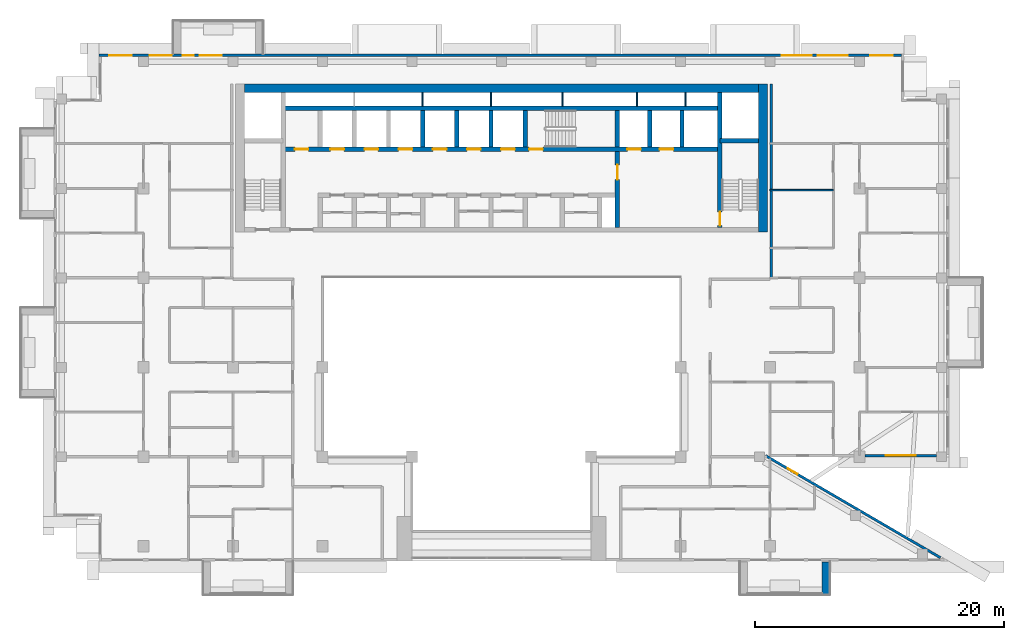
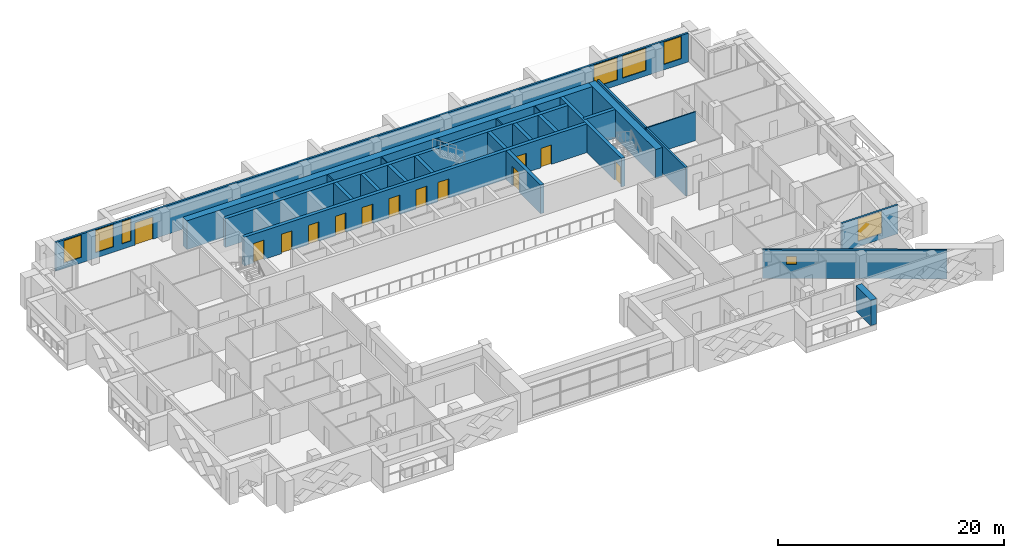
# One storey, part 11 of 20: 25 walls, 13 doors, 8 windows, 21 openings.
"""IFC4 building model written with IfcOpenShell, lengths in metres."""

import ifcopenshell
import ifcopenshell.guid

model = None  # the IFC model being written
_history = None  # IfcOwnerHistory: only IFC2X3 demands one
_inside = {}  # id of a spatial element -> (the spatial element, [elements in it])
_under = {}  # id of a project, library or spatial element -> (it, [spatial elements below it])
_declared = {}  # id of a project -> (the project, [libraries it declares])
_typed = {}  # id of a type object -> (the type object, [elements of that type])
_made_of = {}  # id of a material, layer set ... -> (it, [elements and type objects made of it])


def new_model(schema):
    """Start an empty IFC model of exactly this schema.

    Asked for "IFC4X3", IfcOpenShell would pick the latest addendum, in which some entities
    have other attributes; the version numbers below select the first issue.
    IFC2X3 requires an IfcOwnerHistory on every rooted entity: one is made here for all.
    """
    global model, _history
    if schema == "IFC4X3":
        model = ifcopenshell.file(schema_version=(4, 3, 0, 0))
    else:
        model = ifcopenshell.file(schema=schema)
    _inside.clear()
    _under.clear()
    _declared.clear()
    _typed.clear()
    _made_of.clear()
    _history = None
    if model.schema == "IFC2X3":
        org = make("IfcOrganization", Name="unknown")
        user = make(
            "IfcPersonAndOrganization",
            ThePerson=make("IfcPerson", FamilyName="unknown"),
            TheOrganization=org,
        )
        app = make(
            "IfcApplication",
            ApplicationDeveloper=org,
            Version="unknown",
            ApplicationFullName="unknown",
            ApplicationIdentifier="unknown",
        )
        _history = make(
            "IfcOwnerHistory",
            OwningUser=user,
            OwningApplication=app,
            ChangeAction="ADDED",
            CreationDate=0,
        )
    return model


def make(cls, **values):
    """One entity of the class cls with the attributes given. An attribute that is None is left unset."""
    return model.create_entity(
        cls, **{name: value for name, value in values.items() if value is not None}
    )


def rooted(cls, **values):
    """An entity with a GlobalId (a new one), such as an element, a storey or a relation."""
    return make(cls, GlobalId=ifcopenshell.guid.new(), OwnerHistory=_history, **values)


def si_unit(unit_type, name, prefix=None):
    """IfcSIUnit, for example si_unit("LENGTHUNIT", "METRE", prefix="MILLI")."""
    return make("IfcSIUnit", UnitType=unit_type, Prefix=prefix, Name=name)


def assignment(units):
    """IfcUnitAssignment: the units of a project."""
    return None if units is None else make("IfcUnitAssignment", Units=units)


def point(xyz):
    """IfcCartesianPoint."""
    return None if xyz is None else make("IfcCartesianPoint", Coordinates=xyz)


def direction(xyz):
    """IfcDirection."""
    return None if xyz is None else make("IfcDirection", DirectionRatios=xyz)


def frame(location, z_axis=None, x_axis=None):
    """IfcAxis2Placement3D, a coordinate frame: its origin and axes. An axis left out is left unset."""
    return make(
        "IfcAxis2Placement3D",
        Location=point(location),
        Axis=direction(z_axis),
        RefDirection=direction(x_axis),
    )


def frame_2d(location, x_axis=None):
    """IfcAxis2Placement2D, a coordinate frame in the plane: its origin and x axis."""
    return make(
        "IfcAxis2Placement2D", Location=point(location), RefDirection=direction(x_axis)
    )


def origin():
    """The frame at (0, 0, 0) with its axes left unset."""
    return frame((0.0, 0.0, 0.0))


def place(relative_to, where):
    """IfcLocalPlacement: puts the frame where relative to a parent placement (None: the world)."""
    return make(
        "IfcLocalPlacement", PlacementRelTo=relative_to, RelativePlacement=where
    )


def context(
    kind, dimensions, precision=None, world=None, true_north=None, identifier=None
):
    """IfcGeometricRepresentationContext, for example the 3D "Model" context."""
    return make(
        "IfcGeometricRepresentationContext",
        ContextIdentifier=identifier,
        ContextType=kind,
        CoordinateSpaceDimension=dimensions,
        Precision=precision,
        WorldCoordinateSystem=world,
        TrueNorth=true_north,
    )


def subcontext(parent, identifier, kind, view, scale=None):
    """IfcGeometricRepresentationSubContext, for example "Body" below "Model"."""
    return make(
        "IfcGeometricRepresentationSubContext",
        ContextIdentifier=identifier,
        ContextType=kind,
        ParentContext=parent,
        TargetScale=scale,
        TargetView=view,
    )


def project(units=None, contexts=None):
    """IfcProject with its units and contexts."""
    return rooted(
        "IfcProject",
        Name="project",
        RepresentationContexts=contexts,
        UnitsInContext=assignment(units),
    )


def spatial(cls, under=None, at=None, **own):
    """A site, building, storey or space (cls), placed at a placement, below another one or the project."""
    s = rooted(cls, ObjectPlacement=at, **own)
    if under is not None:
        _under.setdefault(under.id(), (under, []))[1].append(s)
    return s


def profile(cls, at=None, kind="AREA", **sizes):
    """A parametric profile (cls). Its sizes go by their IFC names, for example OverallWidth=200.0."""
    return make(cls, ProfileType=kind, Position=at, **sizes)


def rectangle(**sizes):
    """IfcRectangleProfileDef."""
    return profile("IfcRectangleProfileDef", **sizes)


def extrude(swept, where, along, depth):
    """IfcExtrudedAreaSolid: the profile swept, set in the frame where, extruded along a direction by depth."""
    return make(
        "IfcExtrudedAreaSolid",
        SweptArea=swept,
        Position=where,
        ExtrudedDirection=direction(along),
        Depth=depth,
    )


def shape(context_of_items, identifier, shape_type, items):
    """IfcShapeRepresentation: the items that make up one representation, for example the "Body"."""
    return make(
        "IfcShapeRepresentation",
        ContextOfItems=context_of_items,
        RepresentationIdentifier=identifier,
        RepresentationType=shape_type,
        Items=items,
    )


def material(Name=None, Category=None):
    """IfcMaterial."""
    return make("IfcMaterial", Name=Name, Category=Category)


def layer(
    of_material, thickness, ventilated=None, Name=None, Category=None, Priority=None
):
    """IfcMaterialLayer: one layer of a wall or slab, of a material (None: an air gap)."""
    return make(
        "IfcMaterialLayer",
        Material=of_material,
        LayerThickness=thickness,
        IsVentilated=ventilated,
        Name=Name,
        Category=Category,
        Priority=Priority,
    )


def layer_set(layers, Name=None):
    """IfcMaterialLayerSet."""
    return make("IfcMaterialLayerSet", MaterialLayers=layers, LayerSetName=Name)


def made_of(thing, what):
    """Note that an element or type object is made of a material, layer set ...; save() writes the relation."""
    if what is not None:
        _made_of.setdefault(what.id(), (what, []))[1].append(thing)
    return thing


def type_object(cls, material=None, **own):
    """A type object (cls), such as IfcWallType, which elements share."""
    return made_of(rooted(cls, **own), material)


def element(
    cls,
    number,
    at=None,
    inside=None,
    cuts=None,
    type_object=None,
    material=None,
    context=None,
    identifier="Body",
    shape_type=None,
    held_by="IfcProductDefinitionShape",
    body=None,
    shapes=None,
    **own,
):
    """One element of the class cls, such as IfcWall. Its Tag is "e" and its number.

    at: its placement. inside: the storey or other place that contains it. cuts: it is an
    opening in that element (IfcRelVoidsElement). A single representation is given by context,
    identifier, shape_type and body (its items); several are given by shapes. held_by: the class
    of the entity that holds the representations. save() writes the other relations.
    """
    e = rooted(cls, Tag="e%d" % number, ObjectPlacement=at, **own)
    if body is not None:
        shapes = [shape(context, identifier, shape_type, body)]
    if shapes is not None:
        e.Representation = make(held_by, Representations=shapes)
    if inside is not None:
        _inside.setdefault(inside.id(), (inside, []))[1].append(e)
    if cuts is not None:
        rooted(
            "IfcRelVoidsElement", RelatingBuildingElement=cuts, RelatedOpeningElement=e
        )
    if type_object is not None:
        _typed.setdefault(type_object.id(), (type_object, []))[1].append(e)
    return made_of(e, material)


def fill(opening, filler):
    """IfcRelFillsElement: the door or window that sits in an opening."""
    return rooted(
        "IfcRelFillsElement",
        RelatingOpeningElement=opening,
        RelatedBuildingElement=filler,
    )


def aggregate(whole, parts):
    """IfcRelAggregates: a whole, such as a stair, and the parts it consists of."""
    return rooted("IfcRelAggregates", RelatingObject=whole, RelatedObjects=parts)


def save(model, path):
    """Write the relations noted so far, then the file.

    IfcRelAggregates (storeys below a building ...), IfcRelContainedInSpatialStructure (elements
    in a storey), IfcRelDefinesByType, IfcRelAssociatesMaterial and IfcRelDeclares: one each for
    every whole, place, type object, material and project.
    """
    for whole, parts in _under.values():
        aggregate(whole, parts)
    for where, things in _inside.values():
        rooted(
            "IfcRelContainedInSpatialStructure",
            RelatedElements=things,
            RelatingStructure=where,
        )
    for kind, things in _typed.values():
        rooted("IfcRelDefinesByType", RelatedObjects=things, RelatingType=kind)
    for what, things in _made_of.values():
        rooted("IfcRelAssociatesMaterial", RelatedObjects=things, RelatingMaterial=what)
    for by, libraries in _declared.values():
        rooted("IfcRelDeclares", RelatingContext=by, RelatedDefinitions=libraries)
    model.write(path)


model = new_model("IFC4")

# Units and contexts
model_context = context("Model", 3, precision=1e-05, world=origin(), true_north=direction((0.0, 1.0)))
body_context = subcontext(model_context, "Body", "Model", "MODEL_VIEW")
ifc_project = project(units=[si_unit("LENGTHUNIT", "METRE"), si_unit("AREAUNIT", "SQUARE_METRE"), si_unit("VOLUMEUNIT", "CUBIC_METRE"), si_unit("PLANEANGLEUNIT", "RADIAN"), si_unit("MASSUNIT", "GRAM", prefix="KILO")], contexts=[model_context])

# Site, building, storey
site_placement = place(None, origin())
site = spatial("IfcSite", under=ifc_project, at=site_placement, CompositionType="ELEMENT")
building_placement = place(site_placement, origin())
building = spatial("IfcBuilding", under=site, at=building_placement, Name="Saffron Iwan Residences", CompositionType="ELEMENT")
storey_placement = place(building_placement, frame((0.0, 0.0, 202.5)))
storey = spatial("IfcBuildingStorey", under=building, at=storey_placement, Name="L54", CompositionType="ELEMENT", Elevation=202.5)

# Wall
ifc_material_1 = material(Name="Concrete C50/60 white painted", Category="concrete")
ifc_layer_1 = layer(ifc_material_1, 0.60009765625)
ifc_layer_set_1 = layer_set([ifc_layer_1], Name="Concrete C50/60 white painted")
wall_type_1 = type_object("IfcWallType", Name="BALCONY FIN 600", PredefinedType="SOLIDWALL", material=ifc_layer_set_1)
wall_1_placement = place(storey_placement, frame((76.5, 39.550048828125, 0.0), z_axis=(0.0, 0.0, 1.0), x_axis=(0.0, -1.0, 0.0)))
element("IfcWall", 1, at=wall_1_placement, inside=storey, type_object=wall_type_1, Name="Balcony fin L54 11-1b", PredefinedType="SOLIDWALL", context=body_context, shape_type="SweptSolid", body=[
    extrude(rectangle(XDim=2.650146484375, YDim=0.60009765625, at=frame_2d((1.3251953125, 0.0))), origin(), (0.0, 0.0, 1.0), 2.75),
])

# Wall, opening, window
ifc_material_2 = material(Name="Concrete C40/50", Category="concrete")
ifc_layer_2 = layer(ifc_material_2, 0.199951171875)
ifc_layer_set_2 = layer_set([ifc_layer_2], Name="Concrete C40/50")
wall_type_2 = type_object("IfcWallType", Name="EXTERNAL WALL 200", PredefinedType="SOLIDWALL", material=ifc_layer_set_2)
wall_2_placement = place(storey_placement, frame((85.71923828125, 39.88134765625, 0.0), z_axis=(0.0, 0.0, 1.0), x_axis=(-0.86377618652, 0.503875678716, 0.0)))
wall_2 = element("IfcWall", 2, at=wall_2_placement, inside=storey, type_object=wall_type_2, Name="External wall L54 F0.0", PredefinedType="SOLIDWALL", context=body_context, shape_type="SweptSolid", body=[
    extrude(rectangle(XDim=16.31103515625, YDim=0.199951171875, at=frame_2d((8.155517578125, 0.0))), origin(), (0.0, 0.0, 1.0), 3.10009765625),
])
opening_1_placement = place(wall_2_placement, frame((13.32568359375, 0.0, 1.5)))
opening_1 = element("IfcOpeningElement", 3, at=opening_1_placement, cuts=wall_2, Name="Opening W6", PredefinedType="OPENING", context=body_context, shape_type="SweptSolid", body=[
    extrude(rectangle(XDim=0.89990234375, YDim=0.89990234375, at=frame_2d((0.449951171875, 0.449951171875))), frame((0.0, 0.10986328125, 0.0), z_axis=(0.0, -1.0, 0.0), x_axis=(1.0, 0.0, 0.0)), (0.0, 0.0, 1.0), 0.219970703125),
])
ifc_material_3 = material(Name="Clear glass, laminated double glazed", Category="glass")
window_type_1 = type_object("IfcWindowType", Name="WINDOW 900 x 900 BATH", PartitioningType="SINGLE_PANEL", PredefinedType="WINDOW", material=ifc_material_3)
window_1_placement = place(opening_1_placement, origin())
window_1 = element("IfcWindow", 4, at=window_1_placement, inside=storey, type_object=window_type_1, Name="Window L54 F0.0", OverallHeight=0.89990234375, OverallWidth=0.89990234375, PartitioningType="SINGLE_PANEL", PredefinedType="WINDOW", context=body_context, shape_type="SweptSolid", body=[
    extrude(rectangle(XDim=0.89990234375, YDim=0.89990234375, at=frame_2d((0.449951171875, 0.449951171875))), frame((0.0, 0.030029296875, 0.0), z_axis=(0.0, -1.0, 0.0), x_axis=(1.0, 0.0, 0.0)), (0.0, 0.0, 1.0), 0.06005859375),
])
fill(opening_1, window_1)

wall_3_placement = place(storey_placement, frame((79.64990234375, 48.10009765625, 0.0), z_axis=(0.0, 0.0, 1.0), x_axis=(1.0, 0.0, 0.0)))
wall_3 = element("IfcWall", 5, at=wall_3_placement, inside=storey, type_object=wall_type_2, Name="External wall L54 F1.1", PredefinedType="SOLIDWALL", context=body_context, shape_type="SweptSolid", body=[
    extrude(rectangle(XDim=5.75, YDim=0.199951171875, at=frame_2d((2.875, 0.0))), origin(), (0.0, 0.0, 1.0), 3.10009765625),
])
opening_2_placement = place(wall_3_placement, frame((1.675048828125, 0.0, 0.60009765625)))
opening_2 = element("IfcOpeningElement", 6, at=opening_2_placement, cuts=wall_3, Name="Opening W1", PredefinedType="OPENING", context=body_context, shape_type="SweptSolid", body=[
    extrude(rectangle(XDim=2.39990234375, YDim=2.39990234375, at=frame_2d((1.199951171875, 1.199951171875))), frame((0.0, 0.10986328125, 0.0), z_axis=(0.0, -1.0, 0.0), x_axis=(1.0, 0.0, 0.0)), (0.0, 0.0, 1.0), 0.219970703125),
])
window_type_2 = type_object("IfcWindowType", Name="WINDOW 2400 x 2400", PartitioningType="DOUBLE_PANEL_VERTICAL", PredefinedType="WINDOW", material=ifc_material_3)
window_2_placement = place(opening_2_placement, origin())
window_2 = element("IfcWindow", 7, at=window_2_placement, inside=storey, type_object=window_type_2, Name="Window L54 F1.0", OverallHeight=2.39990234375, OverallWidth=2.39990234375, PartitioningType="DOUBLE_PANEL_VERTICAL", PredefinedType="WINDOW", context=body_context, shape_type="SweptSolid", body=[
    extrude(rectangle(XDim=2.39990234375, YDim=2.39990234375, at=frame_2d((1.199951171875, 1.199951171875))), frame((0.0, 0.030029296875, 0.0), z_axis=(0.0, -1.0, 0.0), x_axis=(1.0, 0.0, 0.0)), (0.0, 0.0, 1.0), 0.06005859375),
])
fill(opening_2, window_2)

# Wall, openings, door, windows
wall_4_placement = place(storey_placement, frame((82.60009765625, 80.300048828125, 0.0), z_axis=(0.0, 0.0, 1.0), x_axis=(-1.0, 0.0, 0.0)))
wall_4 = element("IfcWall", 8, at=wall_4_placement, inside=storey, type_object=wall_type_2, Name="External wall L54 F5.0", PredefinedType="SOLIDWALL", context=body_context, shape_type="SweptSolid", body=[
    extrude(rectangle(XDim=64.60009765625, YDim=0.199951171875, at=frame_2d((32.300048828125, 0.0))), origin(), (0.0, 0.0, 1.0), 3.10009765625),
])
opening_3_placement = place(wall_4_placement, frame((54.699951171875, 0.0, 0.0)))
opening_3 = element("IfcOpeningElement", 9, at=opening_3_placement, cuts=wall_4, Name="Opening BD1", PredefinedType="OPENING", context=body_context, shape_type="SweptSolid", body=[
    extrude(rectangle(XDim=1.800048828125, YDim=2.39990234375, at=frame_2d((0.89990234375, 1.199951171875))), frame((0.0, 0.10986328125, 0.0), z_axis=(0.0, -1.0, 0.0), x_axis=(1.0, 0.0, 0.0)), (0.0, 0.0, 1.0), 0.219970703125),
])
opening_4_placement = place(wall_4_placement, frame((56.949951171875, 0.0, 0.60009765625)))
opening_4 = element("IfcOpeningElement", 10, at=opening_4_placement, cuts=wall_4, Name="Opening W10", PredefinedType="OPENING", context=body_context, shape_type="SweptSolid", body=[
    extrude(rectangle(XDim=0.89990234375, YDim=2.39990234375, at=frame_2d((0.449951171875, 1.199951171875))), frame((0.0, 0.10986328125, 0.0), z_axis=(0.0, -1.0, 0.0), x_axis=(1.0, 0.0, 0.0)), (0.0, 0.0, 1.0), 0.219970703125),
])
opening_5_placement = place(wall_4_placement, frame((58.72509765625, 0.0, 0.60009765625)))
opening_5 = element("IfcOpeningElement", 11, at=opening_5_placement, cuts=wall_4, Name="Opening W8", PredefinedType="OPENING", context=body_context, shape_type="SweptSolid", body=[
    extrude(rectangle(XDim=1.800048828125, YDim=2.39990234375, at=frame_2d((0.89990234375, 1.199951171875))), frame((0.0, 0.10986328125, 0.0), z_axis=(0.0, -1.0, 0.0), x_axis=(1.0, 0.0, 0.0)), (0.0, 0.0, 1.0), 0.219970703125),
])
opening_6_placement = place(wall_4_placement, frame((61.97509765625, 0.0, 0.60009765625)))
opening_6 = element("IfcOpeningElement", 12, at=opening_6_placement, cuts=wall_4, Name="Opening W8", PredefinedType="OPENING", context=body_context, shape_type="SweptSolid", body=[
    extrude(rectangle(XDim=1.800048828125, YDim=2.39990234375, at=frame_2d((0.89990234375, 1.199951171875))), frame((0.0, 0.10986328125, 0.0), z_axis=(0.0, -1.0, 0.0), x_axis=(1.0, 0.0, 0.0)), (0.0, 0.0, 1.0), 0.219970703125),
])
opening_7_placement = place(wall_4_placement, frame((0.72509765625, 0.0, 0.60009765625)))
opening_7 = element("IfcOpeningElement", 13, at=opening_7_placement, cuts=wall_4, Name="Opening W8", PredefinedType="OPENING", context=body_context, shape_type="SweptSolid", body=[
    extrude(rectangle(XDim=1.800048828125, YDim=2.39990234375, at=frame_2d((0.89990234375, 1.199951171875))), frame((0.0, 0.10986328125, 0.0), z_axis=(0.0, -1.0, 0.0), x_axis=(1.0, 0.0, 0.0)), (0.0, 0.0, 1.0), 0.219970703125),
])
opening_8_placement = place(wall_4_placement, frame((4.35009765625, 0.0, 0.60009765625)))
opening_8 = element("IfcOpeningElement", 14, at=opening_8_placement, cuts=wall_4, Name="Opening W1", PredefinedType="OPENING", context=body_context, shape_type="SweptSolid", body=[
    extrude(rectangle(XDim=2.39990234375, YDim=2.39990234375, at=frame_2d((1.199951171875, 1.199951171875))), frame((0.0, 0.10986328125, 0.0), z_axis=(0.0, -1.0, 0.0), x_axis=(1.0, 0.0, 0.0)), (0.0, 0.0, 1.0), 0.219970703125),
])
opening_9_placement = place(wall_4_placement, frame((7.25, 0.0, 0.60009765625)))
opening_9 = element("IfcOpeningElement", 15, at=opening_9_placement, cuts=wall_4, Name="Opening W1", PredefinedType="OPENING", context=body_context, shape_type="SweptSolid", body=[
    extrude(rectangle(XDim=2.39990234375, YDim=2.39990234375, at=frame_2d((1.199951171875, 1.199951171875))), frame((0.0, 0.10986328125, 0.0), z_axis=(0.0, -1.0, 0.0), x_axis=(1.0, 0.0, 0.0)), (0.0, 0.0, 1.0), 0.219970703125),
])
door_type_1 = type_object("IfcDoorType", Name="BALCONY DOOR 1800 x 2400", OperationType="DOUBLE_DOOR_SLIDING", PredefinedType="DOOR", material=ifc_material_3)
door_1_placement = place(opening_3_placement, origin())
door_1 = element("IfcDoor", 16, at=door_1_placement, inside=storey, type_object=door_type_1, Name="Balcony door L54 F5.0", OperationType="DOUBLE_DOOR_SLIDING", OverallHeight=2.39990234375, OverallWidth=1.800048828125, PredefinedType="DOOR", context=body_context, shape_type="SweptSolid", body=[
    extrude(rectangle(XDim=1.800048828125, YDim=2.39990234375, at=frame_2d((0.89990234375, 1.199951171875))), frame((0.0, 0.02490234375, 0.0), z_axis=(0.0, -1.0, 0.0), x_axis=(1.0, 0.0, 0.0)), (0.0, 0.0, 1.0), 0.050048828125),
])
fill(opening_3, door_1)
window_type_3 = type_object("IfcWindowType", Name="WINDOW 1800 x 2400", PartitioningType="DOUBLE_PANEL_VERTICAL", PredefinedType="WINDOW", material=ifc_material_3)
window_3_placement = place(opening_5_placement, origin())
window_3 = element("IfcWindow", 17, at=window_3_placement, inside=storey, type_object=window_type_3, Name="Window L54 F5.2", OverallHeight=2.39990234375, OverallWidth=1.800048828125, PartitioningType="DOUBLE_PANEL_VERTICAL", PredefinedType="WINDOW", context=body_context, shape_type="SweptSolid", body=[
    extrude(rectangle(XDim=1.800048828125, YDim=2.39990234375, at=frame_2d((0.89990234375, 1.199951171875))), frame((0.0, 0.030029296875, 0.0), z_axis=(0.0, -1.0, 0.0), x_axis=(1.0, 0.0, 0.0)), (0.0, 0.0, 1.0), 0.06005859375),
])
fill(opening_5, window_3)
window_4_placement = place(opening_6_placement, origin())
window_4 = element("IfcWindow", 18, at=window_4_placement, inside=storey, type_object=window_type_3, Name="Window L54 F5.3", OverallHeight=2.39990234375, OverallWidth=1.800048828125, PartitioningType="DOUBLE_PANEL_VERTICAL", PredefinedType="WINDOW", context=body_context, shape_type="SweptSolid", body=[
    extrude(rectangle(XDim=1.800048828125, YDim=2.39990234375, at=frame_2d((0.89990234375, 1.199951171875))), frame((0.0, 0.030029296875, 0.0), z_axis=(0.0, -1.0, 0.0), x_axis=(1.0, 0.0, 0.0)), (0.0, 0.0, 1.0), 0.06005859375),
])
fill(opening_6, window_4)
window_5_placement = place(opening_7_placement, origin())
window_5 = element("IfcWindow", 19, at=window_5_placement, inside=storey, type_object=window_type_3, Name="Window L54 F5.4", OverallHeight=2.39990234375, OverallWidth=1.800048828125, PartitioningType="DOUBLE_PANEL_VERTICAL", PredefinedType="WINDOW", context=body_context, shape_type="SweptSolid", body=[
    extrude(rectangle(XDim=1.800048828125, YDim=2.39990234375, at=frame_2d((0.89990234375, 1.199951171875))), frame((0.0, 0.030029296875, 0.0), z_axis=(0.0, -1.0, 0.0), x_axis=(1.0, 0.0, 0.0)), (0.0, 0.0, 1.0), 0.06005859375),
])
fill(opening_7, window_5)
window_6_placement = place(opening_8_placement, origin())
window_6 = element("IfcWindow", 20, at=window_6_placement, inside=storey, type_object=window_type_2, Name="Window L54 F5.5", OverallHeight=2.39990234375, OverallWidth=2.39990234375, PartitioningType="DOUBLE_PANEL_VERTICAL", PredefinedType="WINDOW", context=body_context, shape_type="SweptSolid", body=[
    extrude(rectangle(XDim=2.39990234375, YDim=2.39990234375, at=frame_2d((1.199951171875, 1.199951171875))), frame((0.0, 0.030029296875, 0.0), z_axis=(0.0, -1.0, 0.0), x_axis=(1.0, 0.0, 0.0)), (0.0, 0.0, 1.0), 0.06005859375),
])
fill(opening_8, window_6)
window_7_placement = place(opening_9_placement, origin())
window_7 = element("IfcWindow", 21, at=window_7_placement, inside=storey, type_object=window_type_2, Name="Window L54 F5.6", OverallHeight=2.39990234375, OverallWidth=2.39990234375, PartitioningType="DOUBLE_PANEL_VERTICAL", PredefinedType="WINDOW", context=body_context, shape_type="SweptSolid", body=[
    extrude(rectangle(XDim=2.39990234375, YDim=2.39990234375, at=frame_2d((1.199951171875, 1.199951171875))), frame((0.0, 0.030029296875, 0.0), z_axis=(0.0, -1.0, 0.0), x_axis=(1.0, 0.0, 0.0)), (0.0, 0.0, 1.0), 0.06005859375),
])
fill(opening_9, window_7)
window_type_4 = type_object("IfcWindowType", Name="WINDOW 900 x 2400", PartitioningType="SINGLE_PANEL", PredefinedType="WINDOW", material=ifc_material_3)
window_8_placement = place(opening_4_placement, origin())
window_8 = element("IfcWindow", 22, at=window_8_placement, inside=storey, type_object=window_type_4, Name="Window L54 F5.1", OverallHeight=2.39990234375, OverallWidth=0.89990234375, PartitioningType="SINGLE_PANEL", PredefinedType="WINDOW", context=body_context, shape_type="SweptSolid", body=[
    extrude(rectangle(XDim=0.89990234375, YDim=2.39990234375, at=frame_2d((0.449951171875, 1.199951171875))), frame((0.0, 0.030029296875, 0.0), z_axis=(0.0, -1.0, 0.0), x_axis=(1.0, 0.0, 0.0)), (0.0, 0.0, 1.0), 0.06005859375),
])
fill(opening_4, window_8)

# Walls
ifc_material_4 = material(Name="Gypsum board partition")
ifc_layer_3 = layer(ifc_material_4, 0.1201171875)
ifc_layer_set_3 = layer_set([ifc_layer_3], Name="Gypsum board partition")
wall_type_3 = type_object("IfcWallType", Name="Flat partition 120", PredefinedType="PARTITIONING", material=ifc_layer_set_3)
wall_5_placement = place(storey_placement, frame((72.0, 69.449951171875, 0.0), z_axis=(0.0, 0.0, 1.0), x_axis=(1.0, 0.0, 0.0)))
element("IfcWall", 23, at=wall_5_placement, inside=storey, type_object=wall_type_3, Name="W-L54-PART-h69.45-72", PredefinedType="PARTITIONING", context=body_context, shape_type="SweptSolid", body=[
    extrude(rectangle(XDim=5.10009765625, YDim=0.1201171875, at=frame_2d((2.550048828125, 0.0))), origin(), (0.0, 0.0, 1.0), 3.10009765625),
])
ifc_material_5 = material(Name="Fire-rated gypsum board wall")
ifc_layer_4 = layer(ifc_material_5, 0.199951171875)
ifc_layer_set_4 = layer_set([ifc_layer_4], Name="Fire-rated gypsum board wall")
wall_type_4 = type_object("IfcWallType", Name="Gallery wall 200", PredefinedType="SOLIDWALL", material=ifc_layer_set_4)
wall_6_placement = place(storey_placement, frame((72.10009765625, 62.39990234375, 0.0), z_axis=(0.0, 0.0, 1.0), x_axis=(0.0, 1.0, 0.0)))
element("IfcWall", 24, at=wall_6_placement, inside=storey, type_object=wall_type_4, Name="W-L54-CORR-v72-62.4", PredefinedType="SOLIDWALL", context=body_context, shape_type="SweptSolid", body=[
    extrude(rectangle(XDim=15.60009765625, YDim=0.199951171875, at=frame_2d((7.800048828125, 0.0))), origin(), (0.0, 0.0, 1.0), 3.10009765625),
])
ifc_material_6 = material(Name="Fire-rated plasterboard partition")
ifc_layer_5 = layer(ifc_material_6, 0.10009765625)
ifc_layer_set_5 = layer_set([ifc_layer_5], Name="Fire-rated plasterboard partition")
wall_type_5 = type_object("IfcWallType", Name="Riser partition 100", PredefinedType="PARTITIONING", material=ifc_layer_set_5)
for number, where, z_axis, x_axis, name in (
    (25, (44.050048828125, 76.22509765625, 0.0), (0.0, 0.0, 1.0), (0.0, 1.0, 0.0), "Core partition P08"),
    (26, (49.550048828125, 76.22509765625, 0.0), (0.0, 0.0, 1.0), (0.0, 1.0, 0.0), "Core partition P09"),
    (27, (55.300048828125, 76.22509765625, 0.0), (0.0, 0.0, 1.0), (0.0, 1.0, 0.0), "Core partition P10"),
    (28, (61.300048828125, 76.22509765625, 0.0), (0.0, 0.0, 1.0), (0.0, 1.0, 0.0), "Core partition P11"),
    (29, (65.199951171875, 76.22509765625, 0.0), (0.0, 0.0, 1.0), (0.0, 1.0, 0.0), "Core partition P12"),
):
    element("IfcWall", number, at=place(storey_placement, frame(where, z_axis=z_axis, x_axis=x_axis)), inside=storey, type_object=wall_type_5, Name=name, PredefinedType="PARTITIONING", context=body_context, shape_type="SweptSolid", body=[
        extrude(rectangle(XDim=1.074951171875, YDim=0.10009765625, at=frame_2d((0.53759765625, 0.0))), origin(), (0.0, 0.0, 1.0), 3.10009765625),
    ])

# Wall, openings, doors
ifc_material_7 = material(Name="Concrete C50/60", Category="concrete")
ifc_layer_6 = layer(ifc_material_7, 0.35009765625)
ifc_layer_set_6 = layer_set([ifc_layer_6], Name="Concrete C50/60")
wall_type_6 = type_object("IfcWallType", Name="WALL CORE 350 C50/60 3100 HIGH", PredefinedType="SHEAR", material=ifc_layer_set_6)
wall_7_placement = place(storey_placement, frame((32.824951171875, 72.75, 0.0), z_axis=(0.0, 0.0, 1.0), x_axis=(1.0, 0.0, 0.0)))
wall_7 = element("IfcWall", 30, at=wall_7_placement, inside=storey, type_object=wall_type_6, Name="Core wall", PredefinedType="SHEAR", context=body_context, shape_type="SweptSolid", body=[
    extrude(rectangle(XDim=35.150146484375, YDim=0.35009765625, at=frame_2d((17.5751953125, 0.0))), origin(), (0.0, 0.0, 1.0), 3.10009765625),
])
opening_10_placement = place(wall_7_placement, frame((19.800048828125, 0.0, 0.0)))
opening_10 = element("IfcOpeningElement", 31, at=opening_10_placement, cuts=wall_7, Name="Opening SD", PredefinedType="OPENING", context=body_context, shape_type="SweptSolid", body=[
    extrude(rectangle(XDim=1.10009765625, YDim=2.10009765625, at=frame_2d((0.550048828125, 1.050048828125))), frame((0.0, 0.18505859375, 0.0), z_axis=(0.0, -1.0, 0.0), x_axis=(1.0, 0.0, 0.0)), (0.0, 0.0, 1.0), 0.3701171875),
])
opening_11_placement = place(wall_7_placement, frame((27.699951171875, 0.0, 0.0)))
opening_11 = element("IfcOpeningElement", 32, at=opening_11_placement, cuts=wall_7, Name="Opening LD", PredefinedType="OPENING", context=body_context, shape_type="SweptSolid", body=[
    extrude(rectangle(XDim=1.10009765625, YDim=2.10009765625, at=frame_2d((0.550048828125, 1.050048828125))), frame((0.0, 0.18505859375, 0.0), z_axis=(0.0, -1.0, 0.0), x_axis=(1.0, 0.0, 0.0)), (0.0, 0.0, 1.0), 0.3701171875),
])
opening_12_placement = place(wall_7_placement, frame((30.300048828125, 0.0, 0.0)))
opening_12 = element("IfcOpeningElement", 33, at=opening_12_placement, cuts=wall_7, Name="Opening LD", PredefinedType="OPENING", context=body_context, shape_type="SweptSolid", body=[
    extrude(rectangle(XDim=1.10009765625, YDim=2.10009765625, at=frame_2d((0.550048828125, 1.050048828125))), frame((0.0, 0.18505859375, 0.0), z_axis=(0.0, -1.0, 0.0), x_axis=(1.0, 0.0, 0.0)), (0.0, 0.0, 1.0), 0.3701171875),
])
opening_13_placement = place(wall_7_placement, frame((3.800048828125, 0.0, 0.0)))
opening_13 = element("IfcOpeningElement", 34, at=opening_13_placement, cuts=wall_7, Name="Opening LD", PredefinedType="OPENING", context=body_context, shape_type="SweptSolid", body=[
    extrude(rectangle(XDim=1.10009765625, YDim=2.10009765625, at=frame_2d((0.550048828125, 1.050048828125))), frame((0.0, 0.18505859375, 0.0), z_axis=(0.0, -1.0, 0.0), x_axis=(1.0, 0.0, 0.0)), (0.0, 0.0, 1.0), 0.3701171875),
])
opening_14_placement = place(wall_7_placement, frame((6.550048828125, 0.0, 0.0)))
opening_14 = element("IfcOpeningElement", 35, at=opening_14_placement, cuts=wall_7, Name="Opening LD", PredefinedType="OPENING", context=body_context, shape_type="SweptSolid", body=[
    extrude(rectangle(XDim=1.10009765625, YDim=2.10009765625, at=frame_2d((0.550048828125, 1.050048828125))), frame((0.0, 0.18505859375, 0.0), z_axis=(0.0, -1.0, 0.0), x_axis=(1.0, 0.0, 0.0)), (0.0, 0.0, 1.0), 0.3701171875),
])
opening_15_placement = place(wall_7_placement, frame((9.300048828125, 0.0, 0.0)))
opening_15 = element("IfcOpeningElement", 36, at=opening_15_placement, cuts=wall_7, Name="Opening LD", PredefinedType="OPENING", context=body_context, shape_type="SweptSolid", body=[
    extrude(rectangle(XDim=1.10009765625, YDim=2.10009765625, at=frame_2d((0.550048828125, 1.050048828125))), frame((0.0, 0.18505859375, 0.0), z_axis=(0.0, -1.0, 0.0), x_axis=(1.0, 0.0, 0.0)), (0.0, 0.0, 1.0), 0.3701171875),
])
opening_16_placement = place(wall_7_placement, frame((12.050048828125, 0.0, 0.0)))
opening_16 = element("IfcOpeningElement", 37, at=opening_16_placement, cuts=wall_7, Name="Opening LD", PredefinedType="OPENING", context=body_context, shape_type="SweptSolid", body=[
    extrude(rectangle(XDim=1.10009765625, YDim=2.10009765625, at=frame_2d((0.550048828125, 1.050048828125))), frame((0.0, 0.18505859375, 0.0), z_axis=(0.0, -1.0, 0.0), x_axis=(1.0, 0.0, 0.0)), (0.0, 0.0, 1.0), 0.3701171875),
])
opening_17_placement = place(wall_7_placement, frame((14.800048828125, 0.0, 0.0)))
opening_17 = element("IfcOpeningElement", 38, at=opening_17_placement, cuts=wall_7, Name="Opening LD", PredefinedType="OPENING", context=body_context, shape_type="SweptSolid", body=[
    extrude(rectangle(XDim=1.10009765625, YDim=2.10009765625, at=frame_2d((0.550048828125, 1.050048828125))), frame((0.0, 0.18505859375, 0.0), z_axis=(0.0, -1.0, 0.0), x_axis=(1.0, 0.0, 0.0)), (0.0, 0.0, 1.0), 0.3701171875),
])
opening_18_placement = place(wall_7_placement, frame((17.550048828125, 0.0, 0.0)))
opening_18 = element("IfcOpeningElement", 39, at=opening_18_placement, cuts=wall_7, Name="Opening LD", PredefinedType="OPENING", context=body_context, shape_type="SweptSolid", body=[
    extrude(rectangle(XDim=1.10009765625, YDim=2.10009765625, at=frame_2d((0.550048828125, 1.050048828125))), frame((0.0, 0.18505859375, 0.0), z_axis=(0.0, -1.0, 0.0), x_axis=(1.0, 0.0, 0.0)), (0.0, 0.0, 1.0), 0.3701171875),
])
opening_19_placement = place(wall_7_placement, frame((0.9375, 0.0, 0.0)))
opening_19 = element("IfcOpeningElement", 40, at=opening_19_placement, cuts=wall_7, Name="Opening SR", PredefinedType="OPENING", context=body_context, shape_type="SweptSolid", body=[
    extrude(rectangle(XDim=1.10009765625, YDim=2.10009765625, at=frame_2d((0.550048828125, 1.050048828125))), frame((0.0, 0.18505859375, 0.0), z_axis=(0.0, -1.0, 0.0), x_axis=(1.0, 0.0, 0.0)), (0.0, 0.0, 1.0), 0.3701171875),
])
ifc_material_8 = material(Name="Steel fire door", Category="steel")
door_type_2 = type_object("IfcDoorType", Name="Lift landing door 1100", OperationType="SLIDING_TO_LEFT", PredefinedType="DOOR", material=ifc_material_8)
door_2_placement = place(opening_11_placement, origin())
door_2 = element("IfcDoor", 41, at=door_2_placement, inside=storey, type_object=door_type_2, Name="Landing doors FF1", OperationType="SLIDING_TO_LEFT", OverallHeight=2.10009765625, OverallWidth=1.10009765625, PredefinedType="DOOR", context=body_context, shape_type="SweptSolid", body=[
    extrude(rectangle(XDim=1.10009765625, YDim=2.10009765625, at=frame_2d((0.550048828125, 1.050048828125))), frame((0.0, 0.02490234375, 0.0), z_axis=(0.0, -1.0, 0.0), x_axis=(1.0, 0.0, 0.0)), (0.0, 0.0, 1.0), 0.050048828125),
])
fill(opening_11, door_2)
door_3_placement = place(opening_12_placement, origin())
door_3 = element("IfcDoor", 42, at=door_3_placement, inside=storey, type_object=door_type_2, Name="Landing doors FF2", OperationType="SLIDING_TO_LEFT", OverallHeight=2.10009765625, OverallWidth=1.10009765625, PredefinedType="DOOR", context=body_context, shape_type="SweptSolid", body=[
    extrude(rectangle(XDim=1.10009765625, YDim=2.10009765625, at=frame_2d((0.550048828125, 1.050048828125))), frame((0.0, 0.02490234375, 0.0), z_axis=(0.0, -1.0, 0.0), x_axis=(1.0, 0.0, 0.0)), (0.0, 0.0, 1.0), 0.050048828125),
])
fill(opening_12, door_3)
door_4_placement = place(opening_13_placement, origin())
door_4 = element("IfcDoor", 43, at=door_4_placement, inside=storey, type_object=door_type_2, Name="Landing doors HR1", OperationType="SLIDING_TO_LEFT", OverallHeight=2.10009765625, OverallWidth=1.10009765625, PredefinedType="DOOR", context=body_context, shape_type="SweptSolid", body=[
    extrude(rectangle(XDim=1.10009765625, YDim=2.10009765625, at=frame_2d((0.550048828125, 1.050048828125))), frame((0.0, 0.02490234375, 0.0), z_axis=(0.0, -1.0, 0.0), x_axis=(1.0, 0.0, 0.0)), (0.0, 0.0, 1.0), 0.050048828125),
])
fill(opening_13, door_4)
door_5_placement = place(opening_14_placement, origin())
door_5 = element("IfcDoor", 44, at=door_5_placement, inside=storey, type_object=door_type_2, Name="Landing doors HR2", OperationType="SLIDING_TO_LEFT", OverallHeight=2.10009765625, OverallWidth=1.10009765625, PredefinedType="DOOR", context=body_context, shape_type="SweptSolid", body=[
    extrude(rectangle(XDim=1.10009765625, YDim=2.10009765625, at=frame_2d((0.550048828125, 1.050048828125))), frame((0.0, 0.02490234375, 0.0), z_axis=(0.0, -1.0, 0.0), x_axis=(1.0, 0.0, 0.0)), (0.0, 0.0, 1.0), 0.050048828125),
])
fill(opening_14, door_5)
door_6_placement = place(opening_15_placement, origin())
door_6 = element("IfcDoor", 45, at=door_6_placement, inside=storey, type_object=door_type_2, Name="Landing doors HR3", OperationType="SLIDING_TO_LEFT", OverallHeight=2.10009765625, OverallWidth=1.10009765625, PredefinedType="DOOR", context=body_context, shape_type="SweptSolid", body=[
    extrude(rectangle(XDim=1.10009765625, YDim=2.10009765625, at=frame_2d((0.550048828125, 1.050048828125))), frame((0.0, 0.02490234375, 0.0), z_axis=(0.0, -1.0, 0.0), x_axis=(1.0, 0.0, 0.0)), (0.0, 0.0, 1.0), 0.050048828125),
])
fill(opening_15, door_6)
door_7_placement = place(opening_16_placement, origin())
door_7 = element("IfcDoor", 46, at=door_7_placement, inside=storey, type_object=door_type_2, Name="Landing doors HR4", OperationType="SLIDING_TO_LEFT", OverallHeight=2.10009765625, OverallWidth=1.10009765625, PredefinedType="DOOR", context=body_context, shape_type="SweptSolid", body=[
    extrude(rectangle(XDim=1.10009765625, YDim=2.10009765625, at=frame_2d((0.550048828125, 1.050048828125))), frame((0.0, 0.02490234375, 0.0), z_axis=(0.0, -1.0, 0.0), x_axis=(1.0, 0.0, 0.0)), (0.0, 0.0, 1.0), 0.050048828125),
])
fill(opening_16, door_7)
door_8_placement = place(opening_17_placement, origin())
door_8 = element("IfcDoor", 47, at=door_8_placement, inside=storey, type_object=door_type_2, Name="Landing doors HR5", OperationType="SLIDING_TO_LEFT", OverallHeight=2.10009765625, OverallWidth=1.10009765625, PredefinedType="DOOR", context=body_context, shape_type="SweptSolid", body=[
    extrude(rectangle(XDim=1.10009765625, YDim=2.10009765625, at=frame_2d((0.550048828125, 1.050048828125))), frame((0.0, 0.02490234375, 0.0), z_axis=(0.0, -1.0, 0.0), x_axis=(1.0, 0.0, 0.0)), (0.0, 0.0, 1.0), 0.050048828125),
])
fill(opening_17, door_8)
door_9_placement = place(opening_18_placement, origin())
door_9 = element("IfcDoor", 48, at=door_9_placement, inside=storey, type_object=door_type_2, Name="Landing doors HR6", OperationType="SLIDING_TO_LEFT", OverallHeight=2.10009765625, OverallWidth=1.10009765625, PredefinedType="DOOR", context=body_context, shape_type="SweptSolid", body=[
    extrude(rectangle(XDim=1.10009765625, YDim=2.10009765625, at=frame_2d((0.550048828125, 1.050048828125))), frame((0.0, 0.02490234375, 0.0), z_axis=(0.0, -1.0, 0.0), x_axis=(1.0, 0.0, 0.0)), (0.0, 0.0, 1.0), 0.050048828125),
])
fill(opening_18, door_9)
door_type_3 = type_object("IfcDoorType", Name="Service door 1100", OperationType="NOTDEFINED", PredefinedType="DOOR", material=ifc_material_8)
door_10_placement = place(opening_19_placement, origin())
door_10 = element("IfcDoor", 49, at=door_10_placement, inside=storey, type_object=door_type_3, Name="Door Cleaner's store", OperationType="SINGLE_SWING_LEFT", OverallHeight=2.10009765625, OverallWidth=1.10009765625, PredefinedType="DOOR", context=body_context, shape_type="SweptSolid", body=[
    extrude(rectangle(XDim=1.10009765625, YDim=2.10009765625, at=frame_2d((0.550048828125, 1.050048828125))), frame((0.0, 0.02490234375, 0.0), z_axis=(0.0, -1.0, 0.0), x_axis=(1.0, 0.0, 0.0)), (0.0, 0.0, 1.0), 0.050048828125),
])
fill(opening_19, door_10)
door_type_4 = type_object("IfcDoorType", Name="Stair door 1100", OperationType="NOTDEFINED", PredefinedType="DOOR", material=ifc_material_8)
door_11_placement = place(opening_10_placement, origin())
door_11 = element("IfcDoor", 50, at=door_11_placement, inside=storey, type_object=door_type_4, Name="Stair door ST-C", OperationType="SINGLE_SWING_LEFT", OverallHeight=2.10009765625, OverallWidth=1.10009765625, PredefinedType="DOOR", context=body_context, shape_type="SweptSolid", body=[
    extrude(rectangle(XDim=1.10009765625, YDim=2.10009765625, at=frame_2d((0.550048828125, 1.050048828125))), frame((0.0, 0.02490234375, 0.0), z_axis=(0.0, -1.0, 0.0), x_axis=(1.0, 0.0, 0.0)), (0.0, 0.0, 1.0), 0.050048828125),
])
fill(opening_10, door_11)

# Walls
wall_8_placement = place(storey_placement, frame((32.824951171875, 76.050048828125, 0.0), z_axis=(0.0, 0.0, 1.0), x_axis=(1.0, 0.0, 0.0)))
element("IfcWall", 51, at=wall_8_placement, inside=storey, type_object=wall_type_6, Name="Core wall", PredefinedType="SHEAR", context=body_context, shape_type="SweptSolid", body=[
    extrude(rectangle(XDim=35.150146484375, YDim=0.35009765625, at=frame_2d((17.5751953125, 0.0))), origin(), (0.0, 0.0, 1.0), 3.10009765625),
])
wall_9_placement = place(storey_placement, frame((67.97509765625, 73.425048828125, 0.0), z_axis=(0.0, 0.0, 1.0), x_axis=(1.0, 0.0, 0.0)))
element("IfcWall", 52, at=wall_9_placement, inside=storey, type_object=wall_type_6, Name="Core wall", PredefinedType="SHEAR", context=body_context, shape_type="SweptSolid", body=[
    extrude(rectangle(XDim=3.125, YDim=0.35009765625, at=frame_2d((1.5625, 0.0))), origin(), (0.0, 0.0, 1.0), 3.10009765625),
])

# Wall, opening, door
wall_10_placement = place(storey_placement, frame((67.97509765625, 66.449951171875, 0.0), z_axis=(0.0, 0.0, 1.0), x_axis=(0.0, 1.0, 0.0)))
wall_10 = element("IfcWall", 53, at=wall_10_placement, inside=storey, type_object=wall_type_6, Name="Core wall", PredefinedType="SHEAR", context=body_context, shape_type="SweptSolid", body=[
    extrude(rectangle(XDim=10.85009765625, YDim=0.35009765625, at=frame_2d((5.425048828125, 0.0))), origin(), (0.0, 0.0, 1.0), 3.10009765625),
])
opening_20_placement = place(wall_10_placement, frame((0.14990234375, 0.0, 0.0)))
opening_20 = element("IfcOpeningElement", 54, at=opening_20_placement, cuts=wall_10, Name="Opening SD", PredefinedType="OPENING", context=body_context, shape_type="SweptSolid", body=[
    extrude(rectangle(XDim=1.10009765625, YDim=2.10009765625, at=frame_2d((0.550048828125, 1.050048828125))), frame((0.0, 0.18505859375, 0.0), z_axis=(0.0, -1.0, 0.0), x_axis=(1.0, 0.0, 0.0)), (0.0, 0.0, 1.0), 0.3701171875),
])
door_12_placement = place(opening_20_placement, origin())
door_12 = element("IfcDoor", 55, at=door_12_placement, inside=storey, type_object=door_type_4, Name="Stair door ST-E", OperationType="SINGLE_SWING_LEFT", OverallHeight=2.10009765625, OverallWidth=1.10009765625, PredefinedType="DOOR", context=body_context, shape_type="SweptSolid", body=[
    extrude(rectangle(XDim=1.10009765625, YDim=2.10009765625, at=frame_2d((0.550048828125, 1.050048828125))), frame((0.0, 0.02490234375, 0.0), z_axis=(0.0, -1.0, 0.0), x_axis=(1.0, 0.0, 0.0)), (0.0, 0.0, 1.0), 0.050048828125),
])
fill(opening_20, door_12)

wall_11_placement = place(storey_placement, frame((59.72509765625, 66.449951171875, 0.0), z_axis=(0.0, 0.0, 1.0), x_axis=(0.0, 1.0, 0.0)))
wall_11 = element("IfcWall", 56, at=wall_11_placement, inside=storey, type_object=wall_type_6, Name="Core wall", PredefinedType="SHEAR", context=body_context, shape_type="SweptSolid", body=[
    extrude(rectangle(XDim=6.125, YDim=0.35009765625, at=frame_2d((3.0625, 0.0))), origin(), (0.0, 0.0, 1.0), 3.10009765625),
])
opening_21_placement = place(wall_11_placement, frame((3.85009765625, 0.0, 0.0)))
opening_21 = element("IfcOpeningElement", 57, at=opening_21_placement, cuts=wall_11, Name="Opening FD", PredefinedType="OPENING", context=body_context, shape_type="SweptSolid", body=[
    extrude(rectangle(XDim=1.199951171875, YDim=2.10009765625, at=frame_2d((0.60009765625, 1.050048828125))), frame((0.0, 0.18505859375, 0.0), z_axis=(0.0, -1.0, 0.0), x_axis=(1.0, 0.0, 0.0)), (0.0, 0.0, 1.0), 0.3701171875),
])
door_type_5 = type_object("IfcDoorType", Name="Firefighting lobby door 1200", OperationType="NOTDEFINED", PredefinedType="DOOR", material=ifc_material_8)
door_13_placement = place(opening_21_placement, origin())
door_13 = element("IfcDoor", 58, at=door_13_placement, inside=storey, type_object=door_type_5, Name="Firefighting lobby door", OperationType="SINGLE_SWING_LEFT", OverallHeight=2.10009765625, OverallWidth=1.199951171875, PredefinedType="DOOR", context=body_context, shape_type="SweptSolid", body=[
    extrude(rectangle(XDim=1.199951171875, YDim=2.10009765625, at=frame_2d((0.60009765625, 1.050048828125))), frame((0.0, 0.02490234375, 0.0), z_axis=(0.0, -1.0, 0.0), x_axis=(1.0, 0.0, 0.0)), (0.0, 0.0, 1.0), 0.050048828125),
])
fill(opening_21, door_13)

# Walls
for number, where, z_axis, x_axis, name in (
    (59, (59.72509765625, 72.925048828125, 0.0), (0.0, 0.0, 1.0), (0.0, 1.0, 0.0), "Core wall"),
    (60, (44.050048828125, 72.925048828125, 0.0), (0.0, 0.0, 1.0), (0.0, 1.0, 0.0), "Core wall"),
    (61, (46.800048828125, 72.925048828125, 0.0), (0.0, 0.0, 1.0), (0.0, 1.0, 0.0), "Core wall"),
    (62, (49.550048828125, 72.925048828125, 0.0), (0.0, 0.0, 1.0), (0.0, 1.0, 0.0), "Core wall"),
    (63, (52.300048828125, 72.925048828125, 0.0), (0.0, 0.0, 1.0), (0.0, 1.0, 0.0), "Core wall"),
    (64, (62.324951171875, 72.925048828125, 0.0), (0.0, 0.0, 1.0), (0.0, 1.0, 0.0), "Core wall"),
    (65, (64.925048828125, 72.925048828125, 0.0), (0.0, 0.0, 1.0), (0.0, 1.0, 0.0), "Core wall"),
):
    element("IfcWall", number, at=place(storey_placement, frame(where, z_axis=z_axis, x_axis=x_axis)), inside=storey, type_object=wall_type_6, Name=name, PredefinedType="SHEAR", context=body_context, shape_type="SweptSolid", body=[
        extrude(rectangle(XDim=2.949951171875, YDim=0.35009765625, at=frame_2d((1.47509765625, 0.0))), origin(), (0.0, 0.0, 1.0), 3.10009765625),
    ])
ifc_layer_7 = layer(ifc_material_7, 0.699951171875)
ifc_layer_set_7 = layer_set([ifc_layer_7], Name="Concrete C50/60")
wall_type_7 = type_object("IfcWallType", Name="WALL CORE 700 C50/60 3100 HIGH", PredefinedType="SHEAR", material=ifc_layer_set_7)
wall_12_placement = place(storey_placement, frame((71.449951171875, 66.10009765625, 0.0), z_axis=(0.0, 0.0, 1.0), x_axis=(0.0, 1.0, 0.0)))
element("IfcWall", 66, at=wall_12_placement, inside=storey, type_object=wall_type_7, Name="Core wall", PredefinedType="SHEAR", context=body_context, shape_type="SweptSolid", body=[
    extrude(rectangle(XDim=11.89990234375, YDim=0.699951171875, at=frame_2d((5.949951171875, 0.0))), origin(), (0.0, 0.0, 1.0), 3.10009765625),
])
wall_13_placement = place(storey_placement, frame((29.699951171875, 77.64990234375, 0.0), z_axis=(0.0, 0.0, 1.0), x_axis=(1.0, 0.0, 0.0)))
element("IfcWall", 67, at=wall_13_placement, inside=storey, type_object=wall_type_7, Name="Core wall", PredefinedType="SHEAR", context=body_context, shape_type="SweptSolid", body=[
    extrude(rectangle(XDim=41.400146484375, YDim=0.699951171875, at=frame_2d((20.7001953125, 0.0))), origin(), (0.0, 0.0, 1.0), 3.10009765625),
])

save(model, "model.ifc")
